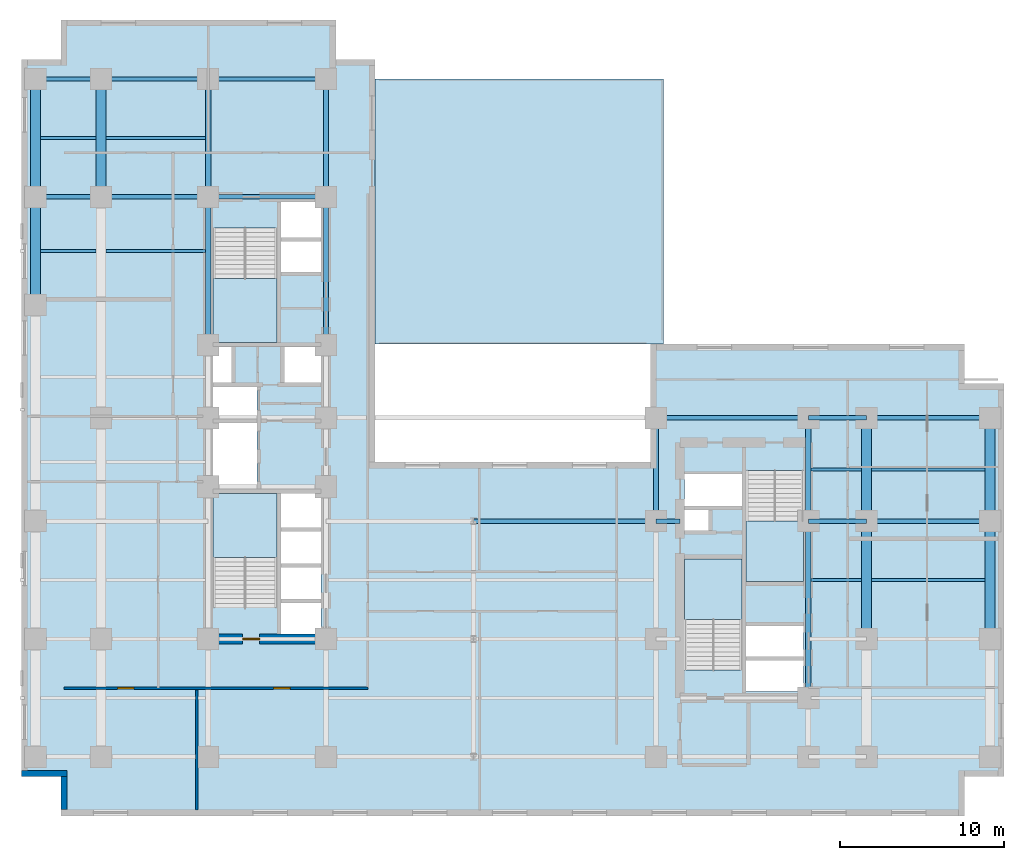
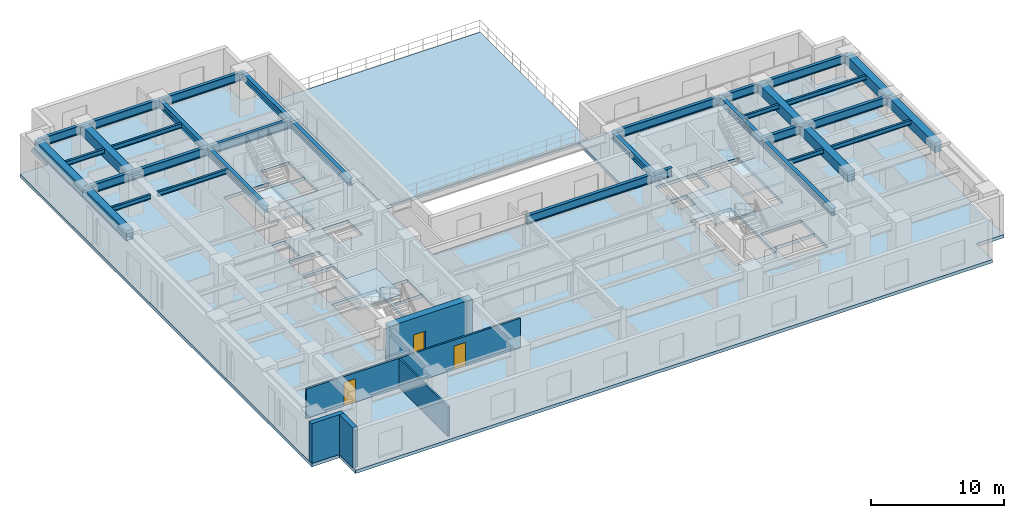
# One storey, part 2 of 10: 35 beams, 6 slabs, 5 walls, 3 doors, 3 openings, 4 elements without a shape of their own.
"""IFC4 building model written with IfcOpenShell, lengths in metres."""

from ifc_helpers import new_model, entity, si_unit, converted_unit, direction, frame, origin_with_axes, origin_2d_with_axis, place, context, subcontext, project, spatial, polyline, rectangle, i_section, outline, extrude, material, layer, layer_set, material_profile, profile_set, type_object, element, fill, aggregate, save


model = new_model("IFC4")

# Units and contexts
model_context = context("Model", 3, precision=1e-05, world=origin_with_axes(), true_north=direction((0.0, 1.0)))
body_context = subcontext(model_context, "Body", "Model", "MODEL_VIEW")
ifc_project = project(units=[si_unit("LENGTHUNIT", "METRE"), si_unit("AREAUNIT", "SQUARE_METRE"), si_unit("VOLUMEUNIT", "CUBIC_METRE"), converted_unit("PLANEANGLEUNIT", "DEGREE", entity("IfcPlaneAngleMeasure", 0.017453292519943295), si_unit("PLANEANGLEUNIT", "RADIAN"), dimensions=[0, 0, 0, 0, 0, 0, 0]), si_unit("MASSUNIT", "GRAM", prefix="KILO"), si_unit("THERMODYNAMICTEMPERATUREUNIT", "KELVIN")], contexts=[model_context])

# Site, building, storey
site_placement = place(None, origin_with_axes())
site = spatial("IfcSite", under=ifc_project, at=site_placement, CompositionType="ELEMENT")
building_placement = place(site_placement, origin_with_axes())
building = spatial("IfcBuilding", under=site, at=building_placement, Name="Varnlund Millrace Tower", CompositionType="ELEMENT")
storey_placement = place(building_placement, frame((0.0, 0.0, 28.8), z_axis=(0.0, 0.0, 1.0), x_axis=(1.0, 0.0, 0.0)))
storey = spatial("IfcBuildingStorey", under=building, at=storey_placement, Name="L06", CompositionType="ELEMENT", Elevation=28.8)

# Beams
ifc_material_1 = material(Name="Steel ASTM A992 Grade 50", Category="steel")
ifc_material_profile_1 = material_profile(ifc_material_1, i_section(OverallWidth=0.328, OverallDepth=0.628, WebThickness=0.0165, FlangeThickness=0.0277, FilletRadius=0.018, at=origin_2d_with_axis()), Name="Steel ASTM A992 Grade 50")
ifc_profile_set_1 = profile_set([ifc_material_profile_1], Name="Steel ASTM A992 Grade 50")
beam_type_1 = type_object("IfcBeamType", Name="Type-Girder-W24X146", PredefinedType="USERDEFINED", material=ifc_profile_set_1)
beam_1_placement = place(storey_placement, frame((11.4, 28.75, 3.346), z_axis=(0.0, 1.0, 0.0), x_axis=(-1.0, 0.0, 0.0)))
element("IfcBeam", 1, at=beam_1_placement, inside=storey, type_object=beam_type_1, Name="Type-Girder-W24X146", ObjectType="GIRDER", PredefinedType="USERDEFINED", context=body_context, shape_type="SweptSolid", body=[
    extrude(i_section(OverallWidth=0.328, OverallDepth=0.628, WebThickness=0.0165, FlangeThickness=0.0277, FilletRadius=0.018, at=origin_2d_with_axis()), origin_with_axes(), (0.0, 0.0, 1.0), 9.05),
])
beam_2_placement = place(storey_placement, frame((11.4, 37.8, 3.346), z_axis=(0.0, 1.0, 0.0), x_axis=(-1.0, 0.0, 0.0)))
element("IfcBeam", 2, at=beam_2_placement, inside=storey, type_object=beam_type_1, Name="Type-Girder-W24X146", ObjectType="GIRDER", PredefinedType="USERDEFINED", context=body_context, shape_type="SweptSolid", body=[
    extrude(i_section(OverallWidth=0.328, OverallDepth=0.628, WebThickness=0.0165, FlangeThickness=0.0277, FilletRadius=0.018, at=origin_2d_with_axis()), origin_with_axes(), (0.0, 0.0, 1.0), 7.2),
])
beam_3_placement = place(storey_placement, frame((18.6, 28.75, 3.346), z_axis=(0.0, 1.0, 0.0), x_axis=(-1.0, 0.0, 0.0)))
element("IfcBeam", 3, at=beam_3_placement, inside=storey, type_object=beam_type_1, Name="Type-Girder-W24X146", ObjectType="GIRDER", PredefinedType="USERDEFINED", context=body_context, shape_type="SweptSolid", body=[
    extrude(i_section(OverallWidth=0.328, OverallDepth=0.628, WebThickness=0.0165, FlangeThickness=0.0277, FilletRadius=0.018, at=origin_2d_with_axis()), origin_with_axes(), (0.0, 0.0, 1.0), 9.05),
])
beam_4_placement = place(storey_placement, frame((18.6, 37.8, 3.346), z_axis=(0.0, 1.0, 0.0), x_axis=(-1.0, 0.0, 0.0)))
element("IfcBeam", 4, at=beam_4_placement, inside=storey, type_object=beam_type_1, Name="Type-Girder-W24X146", ObjectType="GIRDER", PredefinedType="USERDEFINED", context=body_context, shape_type="SweptSolid", body=[
    extrude(i_section(OverallWidth=0.328, OverallDepth=0.628, WebThickness=0.0165, FlangeThickness=0.0277, FilletRadius=0.018, at=origin_2d_with_axis()), origin_with_axes(), (0.0, 0.0, 1.0), 7.2),
])
beam_5_placement = place(storey_placement, frame((38.75, 18.0, 3.346), z_axis=(0.0, 1.0, 0.0), x_axis=(-1.0, 0.0, 0.0)))
element("IfcBeam", 5, at=beam_5_placement, inside=storey, type_object=beam_type_1, Name="Type-Girder-W24X146", ObjectType="GIRDER", PredefinedType="USERDEFINED", context=body_context, shape_type="SweptSolid", body=[
    extrude(i_section(OverallWidth=0.328, OverallDepth=0.628, WebThickness=0.0165, FlangeThickness=0.0277, FilletRadius=0.018, at=origin_2d_with_axis()), origin_with_axes(), (0.0, 0.0, 1.0), 6.3),
])
beam_6_placement = place(storey_placement, frame((48.05, 7.2, 3.346), z_axis=(0.0, 1.0, 0.0), x_axis=(-1.0, 0.0, 0.0)))
element("IfcBeam", 6, at=beam_6_placement, inside=storey, type_object=beam_type_1, Name="Type-Girder-W24X146", ObjectType="GIRDER", PredefinedType="USERDEFINED", context=body_context, shape_type="SweptSolid", body=[
    extrude(i_section(OverallWidth=0.328, OverallDepth=0.628, WebThickness=0.0165, FlangeThickness=0.0277, FilletRadius=0.018, at=origin_2d_with_axis()), origin_with_axes(), (0.0, 0.0, 1.0), 10.8),
])
beam_7_placement = place(storey_placement, frame((48.05, 18.0, 3.346), z_axis=(0.0, 1.0, 0.0), x_axis=(-1.0, 0.0, 0.0)))
element("IfcBeam", 7, at=beam_7_placement, inside=storey, type_object=beam_type_1, Name="Type-Girder-W24X146", ObjectType="GIRDER", PredefinedType="USERDEFINED", context=body_context, shape_type="SweptSolid", body=[
    extrude(i_section(OverallWidth=0.328, OverallDepth=0.628, WebThickness=0.0165, FlangeThickness=0.0277, FilletRadius=0.018, at=origin_2d_with_axis()), origin_with_axes(), (0.0, 0.0, 1.0), 6.3),
])
ifc_material_profile_2 = material_profile(ifc_material_1, i_section(OverallWidth=0.266, OverallDepth=0.779, WebThickness=0.0165, FlangeThickness=0.03, FilletRadius=0.02, at=origin_2d_with_axis()), Name="Steel ASTM A992 Grade 50")
ifc_profile_set_2 = profile_set([ifc_material_profile_2], Name="Steel ASTM A992 Grade 50")
beam_type_2 = type_object("IfcBeamType", Name="Type-Girder-W30X148", PredefinedType="USERDEFINED", material=ifc_profile_set_2)
beam_8_placement = place(storey_placement, frame((27.6, 18.0, 3.2705), z_axis=(1.0, 0.0, 0.0), x_axis=(0.0, 1.0, 0.0)))
element("IfcBeam", 8, at=beam_8_placement, inside=storey, type_object=beam_type_2, Name="Type-Girder-W30X148", ObjectType="GIRDER", PredefinedType="USERDEFINED", context=body_context, shape_type="SweptSolid", body=[
    extrude(i_section(OverallWidth=0.266, OverallDepth=0.779, WebThickness=0.0165, FlangeThickness=0.03, FilletRadius=0.02, at=origin_2d_with_axis()), origin_with_axes(), (0.0, 0.0, 1.0), 11.15),
])
beam_9_placement = place(storey_placement, frame((38.75, 18.0, 3.2705), z_axis=(1.0, 0.0, 0.0), x_axis=(0.0, 1.0, 0.0)))
element("IfcBeam", 9, at=beam_9_placement, inside=storey, type_object=beam_type_2, Name="Type-Girder-W30X148", ObjectType="GIRDER", PredefinedType="USERDEFINED", context=body_context, shape_type="SweptSolid", body=[
    extrude(i_section(OverallWidth=0.266, OverallDepth=0.779, WebThickness=0.0165, FlangeThickness=0.03, FilletRadius=0.02, at=origin_2d_with_axis()), origin_with_axes(), (0.0, 0.0, 1.0), 1.45),
])
beam_10_placement = place(storey_placement, frame((48.05, 18.0, 3.2705), z_axis=(1.0, 0.0, 0.0), x_axis=(0.0, 1.0, 0.0)))
element("IfcBeam", 10, at=beam_10_placement, inside=storey, type_object=beam_type_2, Name="Type-Girder-W30X148", ObjectType="GIRDER", PredefinedType="USERDEFINED", context=body_context, shape_type="SweptSolid", body=[
    extrude(i_section(OverallWidth=0.266, OverallDepth=0.779, WebThickness=0.0165, FlangeThickness=0.03, FilletRadius=0.02, at=origin_2d_with_axis()), origin_with_axes(), (0.0, 0.0, 1.0), 3.55),
])
beam_11_placement = place(storey_placement, frame((51.6, 18.0, 3.2705), z_axis=(1.0, 0.0, 0.0), x_axis=(0.0, 1.0, 0.0)))
element("IfcBeam", 11, at=beam_11_placement, inside=storey, type_object=beam_type_2, Name="Type-Girder-W30X148", ObjectType="GIRDER", PredefinedType="USERDEFINED", context=body_context, shape_type="SweptSolid", body=[
    extrude(i_section(OverallWidth=0.266, OverallDepth=0.779, WebThickness=0.0165, FlangeThickness=0.03, FilletRadius=0.02, at=origin_2d_with_axis()), origin_with_axes(), (0.0, 0.0, 1.0), 7.55),
])
beam_12_placement = place(storey_placement, frame((38.75, 24.3, 3.2705), z_axis=(1.0, 0.0, 0.0), x_axis=(0.0, 1.0, 0.0)))
element("IfcBeam", 12, at=beam_12_placement, inside=storey, type_object=beam_type_2, Name="Type-Girder-W30X148", ObjectType="GIRDER", PredefinedType="USERDEFINED", context=body_context, shape_type="SweptSolid", body=[
    extrude(i_section(OverallWidth=0.266, OverallDepth=0.779, WebThickness=0.0165, FlangeThickness=0.03, FilletRadius=0.02, at=origin_2d_with_axis()), origin_with_axes(), (0.0, 0.0, 1.0), 9.3),
])
beam_13_placement = place(storey_placement, frame((48.05, 24.3, 3.2705), z_axis=(1.0, 0.0, 0.0), x_axis=(0.0, 1.0, 0.0)))
element("IfcBeam", 13, at=beam_13_placement, inside=storey, type_object=beam_type_2, Name="Type-Girder-W30X148", ObjectType="GIRDER", PredefinedType="USERDEFINED", context=body_context, shape_type="SweptSolid", body=[
    extrude(i_section(OverallWidth=0.266, OverallDepth=0.779, WebThickness=0.0165, FlangeThickness=0.03, FilletRadius=0.02, at=origin_2d_with_axis()), origin_with_axes(), (0.0, 0.0, 1.0), 3.55),
])
beam_14_placement = place(storey_placement, frame((51.6, 24.3, 3.2705), z_axis=(1.0, 0.0, 0.0), x_axis=(0.0, 1.0, 0.0)))
element("IfcBeam", 14, at=beam_14_placement, inside=storey, type_object=beam_type_2, Name="Type-Girder-W30X148", ObjectType="GIRDER", PredefinedType="USERDEFINED", context=body_context, shape_type="SweptSolid", body=[
    extrude(i_section(OverallWidth=0.266, OverallDepth=0.779, WebThickness=0.0165, FlangeThickness=0.03, FilletRadius=0.02, at=origin_2d_with_axis()), origin_with_axes(), (0.0, 0.0, 1.0), 7.55),
])
beam_15_placement = place(storey_placement, frame((0.85, 37.8, 3.2705), z_axis=(1.0, 0.0, 0.0), x_axis=(0.0, 1.0, 0.0)))
element("IfcBeam", 15, at=beam_15_placement, inside=storey, type_object=beam_type_2, Name="Type-Girder-W30X148", ObjectType="GIRDER", PredefinedType="USERDEFINED", context=body_context, shape_type="SweptSolid", body=[
    extrude(i_section(OverallWidth=0.266, OverallDepth=0.779, WebThickness=0.0165, FlangeThickness=0.03, FilletRadius=0.02, at=origin_2d_with_axis()), origin_with_axes(), (0.0, 0.0, 1.0), 4.0),
])
beam_16_placement = place(storey_placement, frame((4.85, 37.8, 3.2705), z_axis=(1.0, 0.0, 0.0), x_axis=(0.0, 1.0, 0.0)))
element("IfcBeam", 16, at=beam_16_placement, inside=storey, type_object=beam_type_2, Name="Type-Girder-W30X148", ObjectType="GIRDER", PredefinedType="USERDEFINED", context=body_context, shape_type="SweptSolid", body=[
    extrude(i_section(OverallWidth=0.266, OverallDepth=0.779, WebThickness=0.0165, FlangeThickness=0.03, FilletRadius=0.02, at=origin_2d_with_axis()), origin_with_axes(), (0.0, 0.0, 1.0), 6.55),
])
beam_17_placement = place(storey_placement, frame((11.4, 37.8, 3.2705), z_axis=(1.0, 0.0, 0.0), x_axis=(0.0, 1.0, 0.0)))
element("IfcBeam", 17, at=beam_17_placement, inside=storey, type_object=beam_type_2, Name="Type-Girder-W30X148", ObjectType="GIRDER", PredefinedType="USERDEFINED", context=body_context, shape_type="SweptSolid", body=[
    extrude(i_section(OverallWidth=0.266, OverallDepth=0.779, WebThickness=0.0165, FlangeThickness=0.03, FilletRadius=0.02, at=origin_2d_with_axis()), origin_with_axes(), (0.0, 0.0, 1.0), 7.2),
])
beam_18_placement = place(storey_placement, frame((0.85, 45.0, 3.2705), z_axis=(1.0, 0.0, 0.0), x_axis=(0.0, 1.0, 0.0)))
element("IfcBeam", 18, at=beam_18_placement, inside=storey, type_object=beam_type_2, Name="Type-Girder-W30X148", ObjectType="GIRDER", PredefinedType="USERDEFINED", context=body_context, shape_type="SweptSolid", body=[
    extrude(i_section(OverallWidth=0.266, OverallDepth=0.779, WebThickness=0.0165, FlangeThickness=0.03, FilletRadius=0.02, at=origin_2d_with_axis()), origin_with_axes(), (0.0, 0.0, 1.0), 4.0),
])
beam_19_placement = place(storey_placement, frame((4.85, 45.0, 3.2705), z_axis=(1.0, 0.0, 0.0), x_axis=(0.0, 1.0, 0.0)))
element("IfcBeam", 19, at=beam_19_placement, inside=storey, type_object=beam_type_2, Name="Type-Girder-W30X148", ObjectType="GIRDER", PredefinedType="USERDEFINED", context=body_context, shape_type="SweptSolid", body=[
    extrude(i_section(OverallWidth=0.266, OverallDepth=0.779, WebThickness=0.0165, FlangeThickness=0.03, FilletRadius=0.02, at=origin_2d_with_axis()), origin_with_axes(), (0.0, 0.0, 1.0), 6.55),
])
beam_20_placement = place(storey_placement, frame((11.4, 45.0, 3.2705), z_axis=(1.0, 0.0, 0.0), x_axis=(0.0, 1.0, 0.0)))
element("IfcBeam", 20, at=beam_20_placement, inside=storey, type_object=beam_type_2, Name="Type-Girder-W30X148", ObjectType="GIRDER", PredefinedType="USERDEFINED", context=body_context, shape_type="SweptSolid", body=[
    extrude(i_section(OverallWidth=0.266, OverallDepth=0.779, WebThickness=0.0165, FlangeThickness=0.03, FilletRadius=0.02, at=origin_2d_with_axis()), origin_with_axes(), (0.0, 0.0, 1.0), 7.2),
])
ifc_material_profile_3 = material_profile(ifc_material_1, i_section(OverallWidth=0.181, OverallDepth=0.417, WebThickness=0.0109, FlangeThickness=0.0182, FilletRadius=0.013, at=origin_2d_with_axis()), Name="Steel ASTM A992 Grade 50")
ifc_profile_set_3 = profile_set([ifc_material_profile_3], Name="Steel ASTM A992 Grade 50")
beam_type_3 = type_object("IfcBeamType", Name="Type-Joist-W16X57", PredefinedType="JOIST", material=ifc_profile_set_3)
for number, where, z_axis, x_axis, name in (
    (21, (1.15, 34.5, 3.4515), (1.0, 0.0, 0.0), (0.0, 1.0, 0.0), "Type-Joist-W16X57"),
    (22, (1.15, 41.4, 3.4515), (1.0, 0.0, 0.0), (0.0, 1.0, 0.0), "Type-Joist-W16X57"),
):
    element("IfcBeam", number, at=place(storey_placement, frame(where, z_axis=z_axis, x_axis=x_axis)), inside=storey, type_object=beam_type_3, Name=name, PredefinedType="JOIST", context=body_context, shape_type="SweptSolid", body=[
        extrude(i_section(OverallWidth=0.181, OverallDepth=0.417, WebThickness=0.0109, FlangeThickness=0.0182, FilletRadius=0.013, at=origin_2d_with_axis()), origin_with_axes(), (0.0, 0.0, 1.0), 3.4),
    ])
for number, where, z_axis, x_axis, name in (
    (23, (5.15, 34.5, 3.4515), (1.0, 0.0, 0.0), (0.0, 1.0, 0.0), "Type-Joist-W16X57"),
    (24, (5.15, 41.4, 3.4515), (1.0, 0.0, 0.0), (0.0, 1.0, 0.0), "Type-Joist-W16X57"),
):
    element("IfcBeam", number, at=place(storey_placement, frame(where, z_axis=z_axis, x_axis=x_axis)), inside=storey, type_object=beam_type_3, Name=name, PredefinedType="JOIST", context=body_context, shape_type="SweptSolid", body=[
        extrude(i_section(OverallWidth=0.181, OverallDepth=0.417, WebThickness=0.0109, FlangeThickness=0.0182, FilletRadius=0.013, at=origin_2d_with_axis()), origin_with_axes(), (0.0, 0.0, 1.0), 6.086),
    ])
for number, where, z_axis, x_axis, name in (
    (25, (48.214, 14.4, 3.4515), (1.0, 0.0, 0.0), (0.0, 1.0, 0.0), "Type-Joist-W16X57"),
    (26, (48.214, 21.15, 3.4515), (1.0, 0.0, 0.0), (0.0, 1.0, 0.0), "Type-Joist-W16X57"),
):
    element("IfcBeam", number, at=place(storey_placement, frame(where, z_axis=z_axis, x_axis=x_axis)), inside=storey, type_object=beam_type_3, Name=name, PredefinedType="JOIST", context=body_context, shape_type="SweptSolid", body=[
        extrude(i_section(OverallWidth=0.181, OverallDepth=0.417, WebThickness=0.0109, FlangeThickness=0.0182, FilletRadius=0.013, at=origin_2d_with_axis()), origin_with_axes(), (0.0, 0.0, 1.0), 3.086),
    ])
for number, where, z_axis, x_axis, name in (
    (27, (51.9, 14.4, 3.4515), (1.0, 0.0, 0.0), (0.0, 1.0, 0.0), "Type-Joist-W16X57"),
    (28, (51.9, 21.15, 3.4515), (1.0, 0.0, 0.0), (0.0, 1.0, 0.0), "Type-Joist-W16X57"),
):
    element("IfcBeam", number, at=place(storey_placement, frame(where, z_axis=z_axis, x_axis=x_axis)), inside=storey, type_object=beam_type_3, Name=name, PredefinedType="JOIST", context=body_context, shape_type="SweptSolid", body=[
        extrude(i_section(OverallWidth=0.181, OverallDepth=0.417, WebThickness=0.0109, FlangeThickness=0.0182, FilletRadius=0.013, at=origin_2d_with_axis()), origin_with_axes(), (0.0, 0.0, 1.0), 6.95),
    ])
ifc_material_2 = material(Name="Concrete C70/85", Category="concrete")
ifc_material_profile_4 = material_profile(ifc_material_2, rectangle(XDim=0.6, YDim=0.9, at=origin_2d_with_axis()), Name="Concrete C70/85")
ifc_profile_set_4 = profile_set([ifc_material_profile_4], Name="Concrete C70/85")
beam_type_4 = type_object("IfcBeamType", Name="Type-Spandrel-RC600X900", PredefinedType="SPANDREL", material=ifc_profile_set_4)
beam_21_placement = place(storey_placement, frame((0.85, 31.2, 3.21), z_axis=(0.0, 1.0, 0.0), x_axis=(-1.0, 0.0, 0.0)))
element("IfcBeam", 29, at=beam_21_placement, inside=storey, type_object=beam_type_4, Name="Type-Spandrel-RC600X900", PredefinedType="SPANDREL", context=body_context, shape_type="SweptSolid", body=[
    extrude(rectangle(XDim=0.6, YDim=0.9, at=origin_2d_with_axis()), origin_with_axes(), (0.0, 0.0, 1.0), 6.6),
])
for number, where, z_axis, x_axis, name in (
    (30, (0.85, 37.8, 3.21), (0.0, 1.0, 0.0), (-1.0, 0.0, 0.0), "Type-Spandrel-RC600X900"),
    (31, (4.85, 37.8, 3.21), (0.0, 1.0, 0.0), (-1.0, 0.0, 0.0), "Type-Spandrel-RC600X900"),
    (32, (51.6, 10.8, 3.21), (0.0, 1.0, 0.0), (-1.0, 0.0, 0.0), "Type-Spandrel-RC600X900"),
):
    element("IfcBeam", number, at=place(storey_placement, frame(where, z_axis=z_axis, x_axis=x_axis)), inside=storey, type_object=beam_type_4, Name=name, PredefinedType="SPANDREL", context=body_context, shape_type="SweptSolid", body=[
        extrude(rectangle(XDim=0.6, YDim=0.9, at=origin_2d_with_axis()), origin_with_axes(), (0.0, 0.0, 1.0), 7.2),
    ])
beam_22_placement = place(storey_placement, frame((51.6, 18.0, 3.21), z_axis=(0.0, 1.0, 0.0), x_axis=(-1.0, 0.0, 0.0)))
element("IfcBeam", 33, at=beam_22_placement, inside=storey, type_object=beam_type_4, Name="Type-Spandrel-RC600X900", PredefinedType="SPANDREL", context=body_context, shape_type="SweptSolid", body=[
    extrude(rectangle(XDim=0.6, YDim=0.9, at=origin_2d_with_axis()), origin_with_axes(), (0.0, 0.0, 1.0), 6.3),
])
beam_23_placement = place(storey_placement, frame((59.15, 10.8, 3.21), z_axis=(0.0, 1.0, 0.0), x_axis=(-1.0, 0.0, 0.0)))
element("IfcBeam", 34, at=beam_23_placement, inside=storey, type_object=beam_type_4, Name="Type-Spandrel-RC600X900", PredefinedType="SPANDREL", context=body_context, shape_type="SweptSolid", body=[
    extrude(rectangle(XDim=0.6, YDim=0.9, at=origin_2d_with_axis()), origin_with_axes(), (0.0, 0.0, 1.0), 7.2),
])
beam_24_placement = place(storey_placement, frame((59.15, 18.0, 3.21), z_axis=(0.0, 1.0, 0.0), x_axis=(-1.0, 0.0, 0.0)))
element("IfcBeam", 35, at=beam_24_placement, inside=storey, type_object=beam_type_4, Name="Type-Spandrel-RC600X900", PredefinedType="SPANDREL", context=body_context, shape_type="SweptSolid", body=[
    extrude(rectangle(XDim=0.6, YDim=0.9, at=origin_2d_with_axis()), origin_with_axes(), (0.0, 0.0, 1.0), 6.3),
])

# Slabs
ifc_material_3 = material(Name="Concrete C50/60", Category="concrete")
ifc_layer_1 = layer(ifc_material_3, 0.3, Name="Concrete C50/60")
ifc_layer_set_1 = layer_set([ifc_layer_1], Name="Concrete C50/60")
slab_type_1 = type_object("IfcSlabType", Name="Type-Cap-Deck-Terrace-300", PredefinedType="ROOF", material=ifc_layer_set_1)
slab_1_placement = place(storey_placement, frame((0.0, 0.0, -0.3), z_axis=(0.0, 0.0, 1.0), x_axis=(1.0, 0.0, 0.0)))
element("IfcSlab", 36, at=slab_1_placement, inside=storey, type_object=slab_type_1, Name="Roof terrace", PredefinedType="ROOF", context=body_context, shape_type="SweptSolid", body=[
    extrude(outline(polyline([(39.2, 28.8), (39.2, 45.0), (21.6, 45.0), (21.6, 28.8), (39.2, 28.8)])), origin_with_axes(), (0.0, 0.0, 1.0), 0.3),
])
ifc_layer_2 = layer(ifc_material_2, 0.3, Name="Concrete C70/85")
ifc_layer_set_2 = layer_set([ifc_layer_2], Name="Concrete C70/85")
slab_type_2 = type_object("IfcSlabType", Name="Type-Deck-Plate-Transfer-300", PredefinedType="FLOOR", material=ifc_layer_set_2)
slab_2_placement = place(storey_placement, frame((0.0, 0.0, -0.3), z_axis=(0.0, 0.0, 1.0), x_axis=(1.0, 0.0, 0.0)))
element("IfcSlab", 37, at=slab_2_placement, inside=storey, type_object=slab_type_2, Name="Type-Deck-Plate-Transfer-300", PredefinedType="FLOOR", context=body_context, shape_type="SweptSolid", body=[
    extrude(outline(polyline([(21.6, 21.6), (21.6, 46.2), (19.2, 46.2), (19.2, 48.6), (2.4, 48.6), (2.4, 46.2), (0.0, 46.2), (0.0, 2.4), (2.4, 2.4), (2.4, 0.0), (57.6, 0.0), (57.6, 2.4), (60.0, 2.4), (60.0, 26.4), (57.6, 26.4), (57.6, 28.8), (38.4, 28.8), (38.4, 21.6), (21.6, 21.6)]), holes=[polyline([(18.3, 11.1), (15.84, 11.1), (15.84, 13.1), (18.3, 13.1), (18.3, 11.1)]), polyline([(18.3, 13.16), (15.84, 13.16), (15.84, 15.24), (18.3, 15.24), (18.3, 13.16)]), polyline([(15.6, 12.715), (11.7, 12.715), (11.7, 19.7), (15.6, 19.7), (15.6, 12.715)]), polyline([(18.3, 15.34), (15.84, 15.34), (15.84, 17.46), (18.3, 17.46), (18.3, 15.34)]), polyline([(18.3, 17.52), (15.84, 17.52), (15.84, 19.7), (18.3, 19.7), (18.3, 17.52)]), polyline([(14.38, 23.98), (14.38, 19.94), (11.7, 19.94), (11.7, 23.98), (14.38, 23.98)]), polyline([(11.7, 24.24), (11.7, 26.2), (14.38, 26.2), (14.38, 24.24), (11.7, 24.24)]), polyline([(11.7, 26.46), (11.7, 28.65), (12.84, 28.65), (12.84, 26.46), (11.7, 26.46)]), polyline([(15.6, 28.9), (11.7, 28.9), (11.7, 35.885), (15.6, 35.885), (15.6, 28.9)]), polyline([(47.75, 7.6), (44.25, 7.6), (44.25, 9.6), (47.75, 9.6), (47.75, 7.6)]), polyline([(47.75, 9.66), (44.25, 9.66), (44.25, 11.68), (47.75, 11.68), (47.75, 9.66)]), polyline([(40.5, 8.915), (40.5, 15.7), (44.0, 15.7), (44.0, 8.915), (40.5, 8.915)]), polyline([(44.25, 14.3), (44.25, 21.085), (47.75, 21.085), (47.75, 14.3), (44.25, 14.3)]), polyline([(41.95, 17.42), (40.5, 17.42), (40.5, 18.72), (41.95, 18.72), (41.95, 17.42)]), polyline([(44.0, 18.88), (40.5, 18.88), (40.5, 20.94), (44.0, 20.94), (44.0, 18.88)]), polyline([(18.3, 26.46), (16.04, 26.46), (16.04, 28.65), (18.3, 28.65), (18.3, 26.46)]), polyline([(15.84, 33.12), (15.84, 35.18), (18.3, 35.18), (18.3, 33.12), (15.84, 33.12)]), polyline([(15.84, 35.22), (15.84, 37.5), (18.3, 37.5), (18.3, 35.22), (15.84, 35.22)])]), origin_with_axes(), (0.0, 0.0, 1.0), 0.3),
])

# Stair, slab
stair_type_1 = type_object("IfcStairType", Name="Type-Stair-Dogleg-185-390", PredefinedType="HALF_TURN_STAIR", material=ifc_material_3)
stair_1_placement = place(storey_placement, origin_with_axes())
stair_1 = element("IfcStair", 38, at=stair_1_placement, inside=storey, type_object=stair_type_1, Name="Type-Stair-Dogleg-185-390", PredefinedType="HALF_TURN_STAIR")
ifc_layer_3 = layer(ifc_material_3, 0.2, Name="Concrete C50/60")
ifc_layer_set_3 = layer_set([ifc_layer_3], Name="Concrete C50/60")
slab_type_3 = type_object("IfcSlabType", Name="Type-StairLanding-200", PredefinedType="LANDING", material=ifc_layer_set_3)
slab_3_placement = place(storey_placement, frame((0.0, 0.0, 1.75), z_axis=(0.0, 0.0, 1.0), x_axis=(1.0, 0.0, 0.0)))
slab_3 = element("IfcSlab", 39, at=slab_3_placement, type_object=slab_type_3, Name="ST-A1 landing 1", PredefinedType="LANDING", context=body_context, shape_type="SweptSolid", body=[
    extrude(outline(polyline([(15.6, 15.78), (15.6, 19.7), (11.7, 19.7), (11.7, 15.78), (15.6, 15.78)])), origin_with_axes(), (0.0, 0.0, 1.0), 0.2),
])
aggregate(stair_1, [slab_3])

stair_2_placement = place(storey_placement, origin_with_axes())
stair_2 = element("IfcStair", 40, at=stair_2_placement, inside=storey, type_object=stair_type_1, Name="Type-Stair-Dogleg-185-390", PredefinedType="HALF_TURN_STAIR")
slab_4_placement = place(storey_placement, frame((0.0, 0.0, 1.75), z_axis=(0.0, 0.0, 1.0), x_axis=(1.0, 0.0, 0.0)))
slab_4 = element("IfcSlab", 41, at=slab_4_placement, type_object=slab_type_3, Name="ST-A2 landing 1", PredefinedType="LANDING", context=body_context, shape_type="SweptSolid", body=[
    extrude(outline(polyline([(11.7, 32.82), (11.7, 28.9), (15.6, 28.9), (15.6, 32.82), (11.7, 32.82)])), origin_with_axes(), (0.0, 0.0, 1.0), 0.2),
])
aggregate(stair_2, [slab_4])

stair_type_2 = type_object("IfcStairType", Name="Type-Stair-Dogleg-165-390", PredefinedType="HALF_TURN_STAIR", material=ifc_material_3)
stair_3_placement = place(storey_placement, origin_with_axes())
stair_3 = element("IfcStair", 42, at=stair_3_placement, inside=storey, type_object=stair_type_2, Name="Type-Stair-Dogleg-165-390", PredefinedType="HALF_TURN_STAIR")
slab_5_placement = place(storey_placement, frame((0.0, 0.0, 1.75), z_axis=(0.0, 0.0, 1.0), x_axis=(1.0, 0.0, 0.0)))
slab_5 = element("IfcSlab", 43, at=slab_5_placement, type_object=slab_type_3, Name="ST-B1 landing 1", PredefinedType="LANDING", context=body_context, shape_type="SweptSolid", body=[
    extrude(outline(polyline([(44.0, 11.98), (44.0, 15.7), (40.5, 15.7), (40.5, 11.98), (44.0, 11.98)])), origin_with_axes(), (0.0, 0.0, 1.0), 0.2),
])
aggregate(stair_3, [slab_5])

stair_4_placement = place(storey_placement, origin_with_axes())
stair_4 = element("IfcStair", 44, at=stair_4_placement, inside=storey, type_object=stair_type_2, Name="Type-Stair-Dogleg-165-390", PredefinedType="HALF_TURN_STAIR")
slab_6_placement = place(storey_placement, frame((0.0, 0.0, 1.75), z_axis=(0.0, 0.0, 1.0), x_axis=(1.0, 0.0, 0.0)))
slab_6 = element("IfcSlab", 45, at=slab_6_placement, type_object=slab_type_3, Name="ST-B2 landing 1", PredefinedType="LANDING", context=body_context, shape_type="SweptSolid", body=[
    extrude(outline(polyline([(44.25, 18.02), (44.25, 14.3), (47.75, 14.3), (47.75, 18.02), (44.25, 18.02)])), origin_with_axes(), (0.0, 0.0, 1.0), 0.2),
])
aggregate(stair_4, [slab_6])

# Wall, opening, door
ifc_material_4 = material(Name="Concrete C80/95", Category="concrete")
ifc_layer_4 = layer(ifc_material_4, 0.6, Name="Concrete C80/95")
ifc_layer_set_4 = layer_set([ifc_layer_4], Name="Concrete C80/95")
wall_type_1 = type_object("IfcWallType", Name="Type-CoreWall-Shear-600-C80", PredefinedType="SHEAR", material=ifc_layer_set_4)
wall_1_placement = place(storey_placement, frame((11.4, 10.8, 0.0), z_axis=(0.0, 0.0, 1.0), x_axis=(1.0, 0.0, 0.0)))
wall_1 = element("IfcWall", 46, at=wall_1_placement, inside=storey, type_object=wall_type_1, Name="Type-CoreWall-Shear-600-C80", PredefinedType="SHEAR", context=body_context, shape_type="SweptSolid", body=[
    extrude(outline(polyline([(0.0, -0.3), (7.2, -0.3), (7.2, 0.3), (0.0, 0.3), (0.0, -0.3)])), origin_with_axes(), (0.0, 0.0, 1.0), 3.66),
])
opening_1_placement = place(wall_1_placement, frame((2.625, 0.0, 0.0), z_axis=(0.0, 0.0, 1.0), x_axis=(1.0, 0.0, 0.0)))
opening_1 = element("IfcOpeningElement", 47, at=opening_1_placement, cuts=wall_1, Name="Opening L06:DR-STA1", PredefinedType="OPENING", context=body_context, shape_type="SweptSolid", body=[
    extrude(rectangle(XDim=1.05, YDim=0.62, at=origin_2d_with_axis()), origin_with_axes(), (0.0, 0.0, 1.0), 2.15),
])
ifc_material_5 = material(Name="Fire-rated hollow steel door", Category="steel")
door_type_1 = type_object("IfcDoorType", Name="Type-FireDoor-Stair-1050X2150", OperationType="NOTDEFINED", PredefinedType="DOOR", material=ifc_material_5)
door_1_placement = place(wall_1_placement, frame((2.625, 0.0, 0.0), z_axis=(0.0, 0.0, 1.0), x_axis=(1.0, 0.0, 0.0)))
door_1 = element("IfcDoor", 48, at=door_1_placement, inside=storey, type_object=door_type_1, Name="Type-FireDoor-Stair-1050X2150", OperationType="SINGLE_SWING_LEFT", OverallHeight=2.15, OverallWidth=1.05, PredefinedType="DOOR", context=body_context, shape_type="SweptSolid", body=[
    extrude(rectangle(XDim=1.05, YDim=0.09, at=origin_2d_with_axis()), origin_with_axes(), (0.0, 0.0, 1.0), 2.15),
])
fill(opening_1, door_1)

# Walls
ifc_material_6 = material(Name="Precast concrete C50/60", Category="concrete")
ifc_layer_5 = layer(ifc_material_6, 0.38, Name="Precast concrete C50/60")
ifc_layer_set_5 = layer_set([ifc_layer_5], Name="Precast concrete C50/60")
wall_type_2 = type_object("IfcWallType", Name="Type-ExtWall-Precast-Tube-380", PredefinedType="SOLIDWALL", material=ifc_layer_set_5)
wall_2_placement = place(storey_placement, frame((2.59, 0.38, 0.0), z_axis=(0.0, 0.0, 1.0), x_axis=(0.0, 1.0, 0.0)))
element("IfcWall", 49, at=wall_2_placement, inside=storey, type_object=wall_type_2, Name="Type-ExtWall-Precast-Tube-380", PredefinedType="SOLIDWALL", context=body_context, shape_type="SweptSolid", body=[
    extrude(outline(polyline([(0.0, -0.19), (2.02, -0.19), (2.02, 0.19), (0.0, 0.19), (0.0, -0.19)])), origin_with_axes(), (0.0, 0.0, 1.0), 3.66),
])
wall_3_placement = place(storey_placement, frame((2.78, 2.59, 0.0), z_axis=(0.0, 0.0, 1.0), x_axis=(-1.0, 0.0, 0.0)))
element("IfcWall", 50, at=wall_3_placement, inside=storey, type_object=wall_type_2, Name="Type-ExtWall-Precast-Tube-380", PredefinedType="SOLIDWALL", context=body_context, shape_type="SweptSolid", body=[
    extrude(outline(polyline([(0.0, -0.19), (2.78, -0.19), (2.78, 0.19), (0.0, 0.19), (0.0, -0.19)])), origin_with_axes(), (0.0, 0.0, 1.0), 3.66),
])

# Wall, openings, doors
ifc_material_7 = material(Name="Fire-rated gypsum board on cold-formed steel framing", Category="steel")
ifc_layer_6 = layer(ifc_material_7, 0.16, Name="Fire-rated gypsum board on cold-formed steel framing")
ifc_layer_set_6 = layer_set([ifc_layer_6], Name="Fire-rated gypsum board on cold-formed steel framing")
wall_type_3 = type_object("IfcWallType", Name="Type-Partition-Corridor-160", PredefinedType="PARTITIONING", material=ifc_layer_set_6)
wall_4_placement = place(storey_placement, frame((2.6, 7.8, 0.0), z_axis=(0.0, 0.0, 1.0), x_axis=(1.0, 0.0, 0.0)))
wall_4 = element("IfcWall", 51, at=wall_4_placement, inside=storey, type_object=wall_type_3, Name="Type-Partition-Corridor-160", PredefinedType="PARTITIONING", context=body_context, shape_type="SweptSolid", body=[
    extrude(outline(polyline([(0.0, -0.08), (18.55, -0.08), (18.55, 0.08), (0.0, 0.08), (0.0, -0.08)])), origin_with_axes(), (0.0, 0.0, 1.0), 2.7),
])
opening_2_placement = place(wall_4_placement, frame((3.765, 0.0, 0.0), z_axis=(0.0, 0.0, 1.0), x_axis=(1.0, 0.0, 0.0)))
opening_2 = element("IfcOpeningElement", 52, at=opening_2_placement, cuts=wall_4, Name="Opening L06:DR-WAS-01", PredefinedType="OPENING", context=body_context, shape_type="SweptSolid", body=[
    extrude(rectangle(XDim=1.0, YDim=0.18, at=origin_2d_with_axis()), origin_with_axes(), (0.0, 0.0, 1.0), 2.15),
])
opening_3_placement = place(wall_4_placement, frame((13.3, 0.0, 0.0), z_axis=(0.0, 0.0, 1.0), x_axis=(1.0, 0.0, 0.0)))
opening_3 = element("IfcOpeningElement", 53, at=opening_3_placement, cuts=wall_4, Name="Opening L06:DR-WAS-02", PredefinedType="OPENING", context=body_context, shape_type="SweptSolid", body=[
    extrude(rectangle(XDim=1.0, YDim=0.18, at=origin_2d_with_axis()), origin_with_axes(), (0.0, 0.0, 1.0), 2.15),
])
ifc_material_8 = material(Name="Solid-core white oak and bronze frame door")
door_type_2 = type_object("IfcDoorType", Name="Type-IntDoor-Office-1000X2150", OperationType="NOTDEFINED", PredefinedType="DOOR", material=ifc_material_8)
door_2_placement = place(wall_4_placement, frame((3.765, 0.0, 0.0), z_axis=(0.0, 0.0, 1.0), x_axis=(1.0, 0.0, 0.0)))
door_2 = element("IfcDoor", 54, at=door_2_placement, inside=storey, type_object=door_type_2, Name="Type-IntDoor-Office-1000X2150", OperationType="SINGLE_SWING_LEFT", OverallHeight=2.15, OverallWidth=1.0, PredefinedType="DOOR", context=body_context, shape_type="SweptSolid", body=[
    extrude(rectangle(XDim=1.0, YDim=0.09, at=origin_2d_with_axis()), origin_with_axes(), (0.0, 0.0, 1.0), 2.15),
])
fill(opening_2, door_2)
door_3_placement = place(wall_4_placement, frame((13.3, 0.0, 0.0), z_axis=(0.0, 0.0, 1.0), x_axis=(1.0, 0.0, 0.0)))
door_3 = element("IfcDoor", 55, at=door_3_placement, inside=storey, type_object=door_type_2, Name="Type-IntDoor-Office-1000X2150", OperationType="SINGLE_SWING_RIGHT", OverallHeight=2.15, OverallWidth=1.0, PredefinedType="DOOR", context=body_context, shape_type="SweptSolid", body=[
    extrude(rectangle(XDim=1.0, YDim=0.09, at=origin_2d_with_axis()), origin_with_axes(), (0.0, 0.0, 1.0), 2.15),
])
fill(opening_3, door_3)

# Wall
ifc_material_9 = material(Name="Acoustic STC-50 gypsum board partition", Category="gypsum")
ifc_layer_7 = layer(ifc_material_9, 0.15, Name="Acoustic STC-50 gypsum board partition")
ifc_layer_set_7 = layer_set([ifc_layer_7], Name="Acoustic STC-50 gypsum board partition")
wall_type_4 = type_object("IfcWallType", Name="Type-Partition-Demising-150", PredefinedType="PARTITIONING", material=ifc_layer_set_7)
wall_5_placement = place(storey_placement, frame((10.7, 0.36, 0.0), z_axis=(0.0, 0.0, 1.0), x_axis=(0.0, 1.0, 0.0)))
element("IfcWall", 56, at=wall_5_placement, inside=storey, type_object=wall_type_4, Name="Type-Partition-Demising-150", PredefinedType="PARTITIONING", context=body_context, shape_type="SweptSolid", body=[
    extrude(outline(polyline([(0.0, -0.075), (7.34, -0.075), (7.34, 0.075), (0.0, 0.075), (0.0, -0.075)])), origin_with_axes(), (0.0, 0.0, 1.0), 2.7),
])

save(model, "model.ifc")
